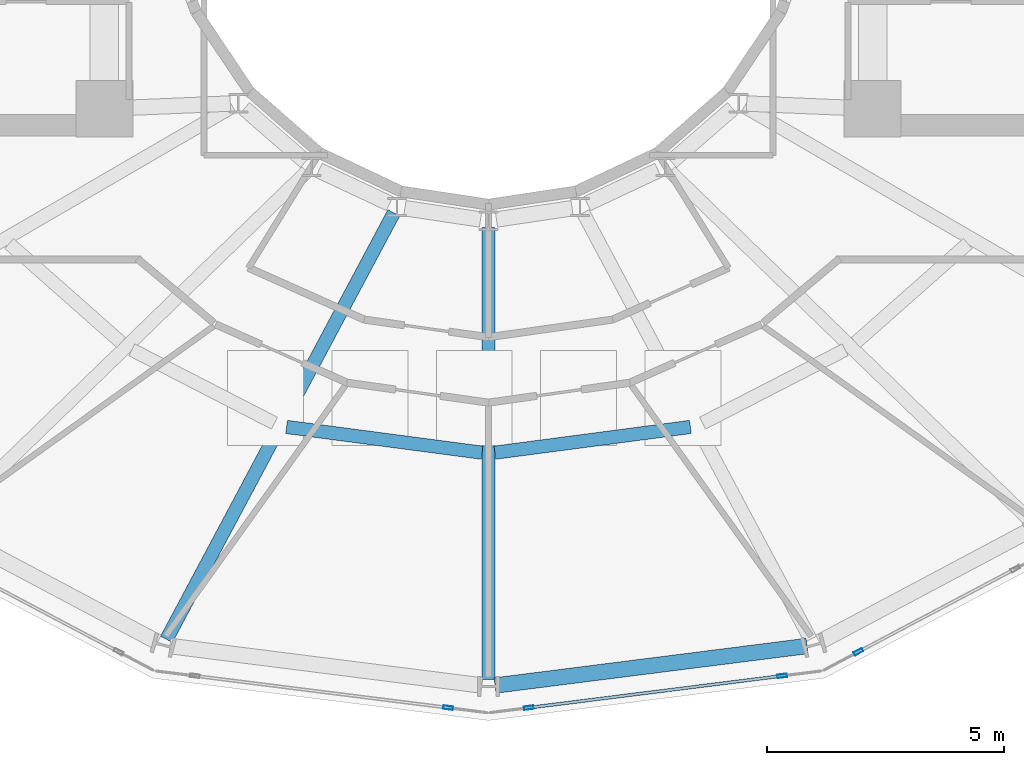
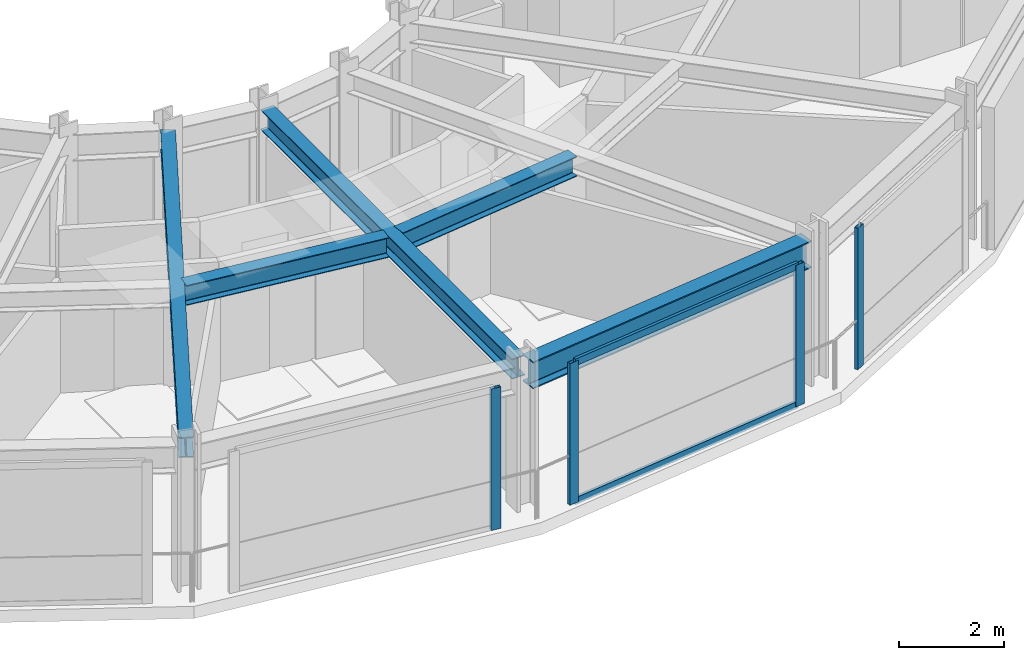
# One storey, part 4 of 19: 6 members, 5 beams, 3 elements without a shape of their own.
"""IFC4 building model written with IfcOpenShell, lengths in metres."""

from ifc_helpers import new_model, si_unit, direction, frame, origin, origin_2d, place, context, subcontext, project, spatial, hollow_rectangle, i_section, extrude, material, layer, layer_set, material_profile, profile_set, type_object, element, aggregate, save


model = new_model("IFC4")

# Units and contexts
model_context = context("Model", 3, precision=1e-05, world=origin(), true_north=direction((0.0, 1.0)))
body_context = subcontext(model_context, "Body", "Model", "MODEL_VIEW")
ifc_project = project(units=[si_unit("LENGTHUNIT", "METRE"), si_unit("AREAUNIT", "SQUARE_METRE"), si_unit("VOLUMEUNIT", "CUBIC_METRE"), si_unit("PLANEANGLEUNIT", "RADIAN"), si_unit("MASSUNIT", "GRAM", prefix="KILO")], contexts=[model_context])

# Site, building, storey
site_placement = place(None, origin())
site = spatial("IfcSite", under=ifc_project, at=site_placement, CompositionType="ELEMENT")
building_placement = place(site_placement, origin())
building = spatial("IfcBuilding", under=site, at=building_placement, Name="Solvane Sanctuary Tower", CompositionType="ELEMENT")
storey_placement = place(building_placement, frame((0.0, 0.0, 249.60009765625)))
storey = spatial("IfcBuildingStorey", under=building, at=storey_placement, Name="L76", CompositionType="ELEMENT", Elevation=249.60009765625)

# Beams
ifc_material_1 = material(Name="Steel ASTM A992 Grade 50", Category="steel")
ifc_material_profile_1 = material_profile(ifc_material_1, i_section(OverallWidth=0.282958984375, OverallDepth=0.471923828125, WebThickness=0.013671875, FlangeThickness=0.022216796875, FilletRadius=0.013916015625, at=origin_2d()), Name="W18X97")
ifc_profile_set_1 = profile_set([ifc_material_profile_1], Name="Steel ASTM A992 Grade 50")
beam_type_1 = type_object("IfcBeamType", Name="Beam B-RAD-Z4 W18X97", PredefinedType="JOIST", material=ifc_profile_set_1)
beam_1_placement = place(storey_placement, frame((30.00341796875, 14.704833984375, 3.081787109375), z_axis=(-0.470405435304, -0.882450410185, 0.0), x_axis=(0.882450410185, -0.470405435304, 0.0)))
element("IfcBeam", 1, at=beam_1_placement, inside=storey, type_object=beam_type_1, Name="L76 Radial Composite Floor Beam 10", PredefinedType="JOIST", context=body_context, shape_type="SweptSolid", body=[
    extrude(i_section(OverallWidth=0.282958984375, OverallDepth=0.471923828125, WebThickness=0.013671875, FlangeThickness=0.022216796875, FilletRadius=0.013916015625, at=origin_2d()), origin(), (0.0, 0.0, 1.0), 10.190673828125),
])
beam_2_placement = place(storey_placement, frame((32.0, 14.39990234375, 3.081787109375), z_axis=(0.0, -1.0, 0.0), x_axis=(1.0, 0.0, 0.0)))
element("IfcBeam", 2, at=beam_2_placement, inside=storey, type_object=beam_type_1, Name="L76 Radial Composite Floor Beam 11", PredefinedType="JOIST", context=body_context, shape_type="SweptSolid", body=[
    extrude(i_section(OverallWidth=0.282958984375, OverallDepth=0.471923828125, WebThickness=0.013671875, FlangeThickness=0.022216796875, FilletRadius=0.013916015625, at=origin_2d()), origin(), (0.0, 0.0, 1.0), 9.539794921875),
])
ifc_material_profile_2 = material_profile(ifc_material_1, i_section(OverallWidth=0.280029296875, OverallDepth=0.462890625, WebThickness=0.0107421875, FlangeThickness=0.017333984375, FilletRadius=0.013916015625, at=origin_2d()), Name="W18X76")
ifc_profile_set_2 = profile_set([ifc_material_profile_2], Name="Steel ASTM A992 Grade 50")
beam_type_2 = type_object("IfcBeamType", Name="Beam B-SEC-JOIST W18X76", PredefinedType="JOIST", material=ifc_profile_set_2)
for number, where, z_axis, x_axis, name in (
    (3, (27.74169921875, 10.190673828125, 3.08642578125), (0.991439902559, -0.130563852634, 0.0), (0.130563852634, 0.991439902559, 0.0), "L76 Secondary Circumferential Joist 10-11"),
    (4, (32.13525390625, 9.647705078125, 3.08642578125), (0.991439902559, 0.130563852634, 0.0), (-0.130563852634, 0.991439902559, 0.0), "L76 Secondary Circumferential Joist 11-12"),
):
    element("IfcBeam", number, at=place(storey_placement, frame(where, z_axis=z_axis, x_axis=x_axis)), inside=storey, type_object=beam_type_2, Name=name, PredefinedType="JOIST", context=body_context, shape_type="SweptSolid", body=[
        extrude(i_section(OverallWidth=0.280029296875, OverallDepth=0.462890625, WebThickness=0.0107421875, FlangeThickness=0.017333984375, FilletRadius=0.013916015625, at=origin_2d()), origin(), (0.0, 0.0, 1.0), 4.15869140625),
    ])
ifc_material_profile_3 = material_profile(ifc_material_1, i_section(OverallWidth=0.327880859375, OverallDepth=0.6279296875, WebThickness=0.0166015625, FlangeThickness=0.027587890625, FilletRadius=0.01611328125, at=origin_2d()), Name="W24X146")
ifc_profile_set_3 = profile_set([ifc_material_profile_3], Name="Steel ASTM A992 Grade 50")
beam_type_3 = type_object("IfcBeamType", Name="Beam B-SPAND-Z3 W24X146", PredefinedType="SPANDREL", material=ifc_profile_set_3)
beam_3_placement = place(storey_placement, frame((32.138916015625, 4.737548828125, 3.00390625), z_axis=(0.992068601394, 0.125697613849, 0.0), x_axis=(-0.125697613849, 0.992068601394, 0.0)))
element("IfcBeam", 5, at=beam_3_placement, inside=storey, type_object=beam_type_3, Name="L76 Perimeter Spandrel Beam TC11-TC12", PredefinedType="SPANDREL", context=body_context, shape_type="SweptSolid", body=[
    extrude(i_section(OverallWidth=0.327880859375, OverallDepth=0.6279296875, WebThickness=0.0166015625, FlangeThickness=0.027587890625, FilletRadius=0.01611328125, at=origin_2d()), origin(), (0.0, 0.0, 1.0), 6.630859375),
])

# Curtain wall, member
ifc_material_2 = material(Name="Anodised Aluminium 6063-T6", Category="aluminium")
ifc_layer = layer(ifc_material_2, 0.18994140625, Name="Anodised Aluminium 6063-T6")
ifc_layer_set = layer_set([ifc_layer], Name="Anodised Aluminium 6063-T6")
curtain_wall_type = type_object("IfcCurtainWallType", Name="Curtain Wall CW-OPER", PredefinedType="NOTDEFINED", material=ifc_layer_set)
curtain_wall_1_placement = place(storey_placement, origin())
curtain_wall_1 = element("IfcCurtainWall", 6, at=curtain_wall_1_placement, inside=storey, type_object=curtain_wall_type, Name="L76 CW-OPER Facade Run 17", PredefinedType="NOTDEFINED")
ifc_material_profile_4 = material_profile(ifc_material_2, hollow_rectangle(XDim=0.074951171875, YDim=0.199951171875, WallThickness=0.00390625, at=origin_2d()), Name="ALU200X75X4")
ifc_profile_set_4 = profile_set([ifc_material_profile_4], Name="Anodised Aluminium 6063-T6")
member_type_1 = type_object("IfcMemberType", Name="Member M-CW-MUL-1 ALU200X75X4", PredefinedType="MULLION", material=ifc_profile_set_4)
member_1_placement = place(storey_placement, frame((31.149169921875, 4.269287109375, 0.0), z_axis=(0.0, 0.0, 1.0), x_axis=(0.124814850727, 0.992180050716, 0.0)))
member_1 = element("IfcMember", 7, at=member_1_placement, type_object=member_type_1, Name="CW-OPER mullion 2", PredefinedType="MULLION", context=body_context, shape_type="SweptSolid", body=[
    extrude(hollow_rectangle(XDim=0.074951171875, YDim=0.199951171875, WallThickness=0.00390625, at=origin_2d()), origin(), (0.0, 0.0, 1.0), 3.27978515625),
])
aggregate(curtain_wall_1, [member_1])

# Curtain wall, members
curtain_wall_2_placement = place(storey_placement, origin())
curtain_wall_2 = element("IfcCurtainWall", 8, at=curtain_wall_2_placement, inside=storey, type_object=curtain_wall_type, Name="L76 CW-OPER Facade Run 18", PredefinedType="NOTDEFINED")
member_2_placement = place(storey_placement, frame((32.850830078125, 4.269287109375, 0.0), z_axis=(0.0, 0.0, 1.0), x_axis=(-0.124814850727, 0.992180050716, 0.0)))
member_2 = element("IfcMember", 9, at=member_2_placement, type_object=member_type_1, Name="CW-OPER mullion 1", PredefinedType="MULLION", context=body_context, shape_type="SweptSolid", body=[
    extrude(hollow_rectangle(XDim=0.074951171875, YDim=0.199951171875, WallThickness=0.00390625, at=origin_2d()), origin(), (0.0, 0.0, 1.0), 3.27978515625),
])
member_3_placement = place(storey_placement, frame((38.192138671875, 4.941162109375, 0.0), z_axis=(0.0, 0.0, 1.0), x_axis=(-0.124814850727, 0.992180050716, 0.0)))
member_3 = element("IfcMember", 10, at=member_3_placement, type_object=member_type_1, Name="CW-OPER mullion 2", PredefinedType="MULLION", context=body_context, shape_type="SweptSolid", body=[
    extrude(hollow_rectangle(XDim=0.074951171875, YDim=0.199951171875, WallThickness=0.00390625, at=origin_2d()), origin(), (0.0, 0.0, 1.0), 3.27978515625),
])

# Curtain wall, member
curtain_wall_3_placement = place(storey_placement, origin())
curtain_wall_3 = element("IfcCurtainWall", 11, at=curtain_wall_3_placement, inside=storey, type_object=curtain_wall_type, Name="L76 CW-OPER Facade Run 19", PredefinedType="NOTDEFINED")
member_4_placement = place(storey_placement, frame((39.801025390625, 5.448974609375, 0.0), z_axis=(0.0, 0.0, 1.0), x_axis=(-0.467523293544, 0.883980752049, 0.0)))
member_4 = element("IfcMember", 12, at=member_4_placement, type_object=member_type_1, Name="CW-OPER mullion 1", PredefinedType="MULLION", context=body_context, shape_type="SweptSolid", body=[
    extrude(hollow_rectangle(XDim=0.074951171875, YDim=0.199951171875, WallThickness=0.00390625, at=origin_2d()), origin(), (0.0, 0.0, 1.0), 3.27978515625),
])
aggregate(curtain_wall_3, [member_4])

# Member
ifc_material_profile_5 = material_profile(ifc_material_2, hollow_rectangle(XDim=0.06494140625, YDim=0.159912109375, WallThickness=0.00341796875, at=origin_2d()), Name="ALU160X65X3.5")
ifc_profile_set_5 = profile_set([ifc_material_profile_5], Name="Anodised Aluminium 6063-T6")
member_type_2 = type_object("IfcMemberType", Name="Member M-CW-TRN-1 ALU160X65X3.5", PredefinedType="USERDEFINED", material=ifc_profile_set_5)
member_5_placement = place(storey_placement, frame((32.887939453125, 4.27392578125, 0.032470703125), z_axis=(0.992179929781, 0.124815812062, 0.0), x_axis=(-0.124815812062, 0.992179929781, 0.0)))
member_5 = element("IfcMember", 13, at=member_5_placement, type_object=member_type_2, Name="CW-OPER transom 1.1", ObjectType="TRANSOM", PredefinedType="USERDEFINED", context=body_context, shape_type="SweptSolid", body=[
    extrude(hollow_rectangle(XDim=0.06494140625, YDim=0.159912109375, WallThickness=0.00341796875, at=origin_2d()), origin(), (0.0, 0.0, 1.0), 5.30859375),
])

member_6_placement = place(storey_placement, frame((32.887939453125, 4.27392578125, 3.247314453125), z_axis=(0.992179929781, 0.124815812062, 0.0), x_axis=(-0.124815812062, 0.992179929781, 0.0)))
member_6 = element("IfcMember", 14, at=member_6_placement, type_object=member_type_2, Name="CW-OPER transom 1.2", ObjectType="TRANSOM", PredefinedType="USERDEFINED", context=body_context, shape_type="SweptSolid", body=[
    extrude(hollow_rectangle(XDim=0.06494140625, YDim=0.159912109375, WallThickness=0.00341796875, at=origin_2d()), origin(), (0.0, 0.0, 1.0), 5.30859375),
])

aggregate(curtain_wall_2, [member_2, member_3, member_5, member_6])

save(model, "model.ifc")
